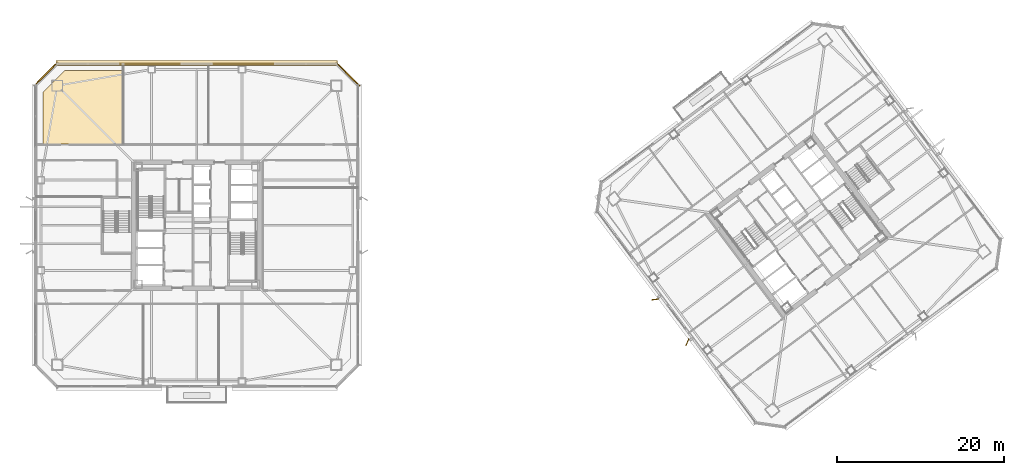
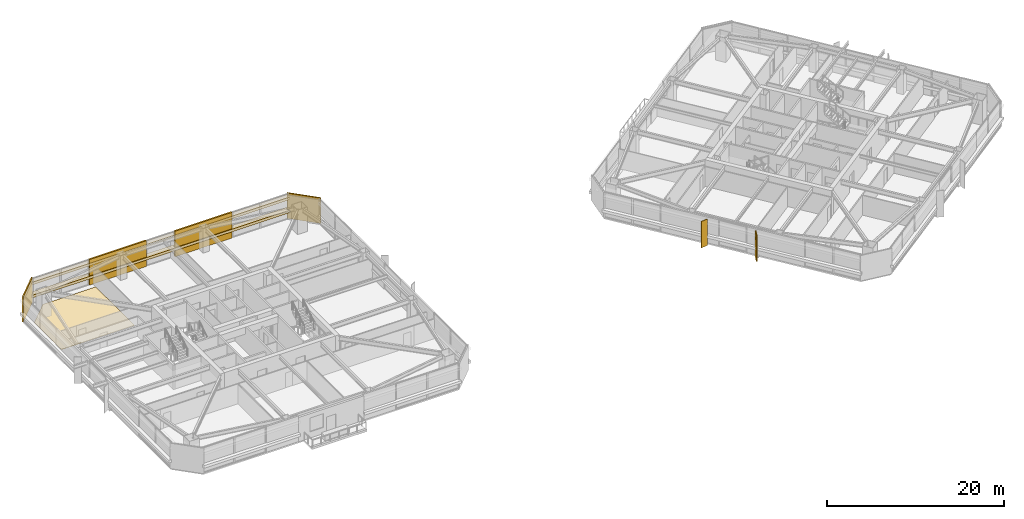
# One storey, part 45 of 48: 7 coverings, 2 shading devices.
"""IFC4 building model written with IfcOpenShell, lengths in metres."""

from ifc_helpers import new_model, si_unit, direction, frame, origin, origin_2d, place, context, subcontext, project, spatial, polyline, rectangle, outline, extrude, material, layer, layer_set, type_object, element, save


model = new_model("IFC4")

# Units and contexts
model_context = context("Model", 3, precision=1e-05, world=origin(), true_north=direction((0.0, 1.0)))
body_context = subcontext(model_context, "Body", "Model", "MODEL_VIEW")
ifc_project = project(units=[si_unit("LENGTHUNIT", "METRE"), si_unit("AREAUNIT", "SQUARE_METRE"), si_unit("VOLUMEUNIT", "CUBIC_METRE"), si_unit("PLANEANGLEUNIT", "RADIAN"), si_unit("MASSUNIT", "GRAM", prefix="KILO")], contexts=[model_context])

# Site, building, storey
site_placement = place(None, origin())
site = spatial("IfcSite", under=ifc_project, at=site_placement, CompositionType="ELEMENT")
building_placement = place(site_placement, origin())
building = spatial("IfcBuilding", under=site, at=building_placement, Name="Tashvorn Skyway Center", CompositionType="ELEMENT")
storey_placement = place(building_placement, frame((0.0, 0.0, 125.050048828125)))
storey = spatial("IfcBuildingStorey", under=building, at=storey_placement, Name="L33", CompositionType="ELEMENT", Elevation=125.050048828125)

# Coverings
ifc_material_1 = material(Name="Precast concrete C40/50", Category="concrete")
ifc_layer_1 = layer(ifc_material_1, 0.199951171875)
ifc_layer_set_1 = layer_set([ifc_layer_1], Name="Precast concrete C40/50")
covering_type_1 = type_object("IfcCoveringType", Name="COV-BRACE-CLAD", PredefinedType="CLADDING", material=ifc_layer_set_1)
for number, where, z_axis, x_axis, name in (
    (1, (36.40673828125, 51.280029296875, 0.0), (0.0, 0.0, 1.0), (1.0, 0.0, 0.0), "Tower 1 L33 North Unitised Curtain Wall Mega-Brace Cladding Band 1"),
    (2, (47.59326171875, 51.280029296875, 0.0), (0.0, 0.0, 1.0), (1.0, 0.0, 0.0), "Tower 1 L33 North Unitised Curtain Wall Mega-Brace Cladding Band 2"),
):
    element("IfcCovering", number, at=place(storey_placement, frame(where, z_axis=z_axis, x_axis=x_axis)), inside=storey, type_object=covering_type_1, Name=name, PredefinedType="CLADDING", context=body_context, shape_type="SweptSolid", body=[
        extrude(rectangle(XDim=7.457763671875, YDim=0.199951171875, at=origin_2d()), origin(), (0.0, 0.0, 1.0), 3.550048828125),
    ])
ifc_material_2 = material(Name="Polished Mojave desert-aggregate terrazzo and cover plate")
ifc_layer_2 = layer(ifc_material_2, 0.0400390625)
ifc_layer_set_2 = layer_set([ifc_layer_2], Name="Polished Mojave desert-aggregate terrazzo and cover plate")
covering_type_2 = type_object("IfcCoveringType", Name="COV-FLR-40", PredefinedType="FLOORING", material=ifc_layer_set_2)
covering_placement = place(storey_placement, origin())
element("IfcCovering", 3, at=covering_placement, inside=storey, type_object=covering_type_2, Name="Tower 1 L33 Executive Suite Finish Flooring", PredefinedType="FLOORING", context=body_context, shape_type="SweptSolid", body=[
    extrude(outline(polyline([(33.1201171875, 41.75), (23.580078125, 41.75), (23.580078125, 47.8798828125), (26.199951171875, 50.5), (33.1201171875, 50.5), (33.1201171875, 41.75)])), origin(), (0.0, 0.0, 1.0), 0.0400390625),
])
ifc_material_3 = material(Name="Perforated ceramic-coated bronze aluminium solar screen", Category="aluminium")
ifc_layer_3 = layer(ifc_material_3, 0.85009765625)
ifc_layer_set_3 = layer_set([ifc_layer_3], Name="Perforated ceramic-coated bronze aluminium solar screen")
covering_type_3 = type_object("IfcCoveringType", Name="COV-SOLAR-BAND", PredefinedType="CLADDING", material=ifc_layer_set_3)
for number, where, z_axis, x_axis, name in (
    (4, (42.0, 51.419921875, 0.919921875), (0.0, 0.0, 1.0), (1.0, 0.0, 0.0), "L33 Perforated Ceramic-Metal Solar Screen Louvre Band North 1"),
    (5, (42.0, 51.419921875, 2.7197265625), (0.0, 0.0, 1.0), (1.0, 0.0, 0.0), "L33 Perforated Ceramic-Metal Solar Screen Louvre Band North 2"),
):
    element("IfcCovering", number, at=place(storey_placement, frame(where, z_axis=z_axis, x_axis=x_axis)), inside=storey, type_object=covering_type_3, Name=name, PredefinedType="CLADDING", context=body_context, shape_type="SweptSolid", body=[
        extrude(rectangle(XDim=33.679931640625, YDim=0.639892578125, at=origin_2d()), origin(), (0.0, 0.0, 1.0), 0.360107421875),
    ])
ifc_layer_4 = layer(ifc_material_1, 0.35009765625)
ifc_layer_set_4 = layer_set([ifc_layer_4], Name="Precast concrete C40/50")
covering_type_4 = type_object("IfcCoveringType", Name="COV-STONE-TRIM", PredefinedType="CLADDING", material=ifc_layer_set_4)
for number, where, z_axis, x_axis, name in (
    (6, (23.929931640625, 50.070068359375, 0.02001953125), (0.0, 0.0, 1.0), (-0.707106781187, -0.707106781187, 0.0), "Tower 1 L33 NW Mojave Limestone Corner Quoin"),
    (7, (60.070068359375, 50.070068359375, 0.02001953125), (0.0, 0.0, 1.0), (0.707106781187, -0.707106781187, 0.0), "Tower 1 L33 NE Mojave Limestone Corner Quoin"),
):
    element("IfcCovering", number, at=place(storey_placement, frame(where, z_axis=z_axis, x_axis=x_axis)), inside=storey, type_object=covering_type_4, Name=name, PredefinedType="CLADDING", context=body_context, shape_type="SweptSolid", body=[
        extrude(rectangle(XDim=3.978515625, YDim=0.139892578125, at=origin_2d()), origin(), (0.0, 0.0, 1.0), 3.510009765625),
    ])

# Shading devices
ifc_layer_5 = layer(ifc_material_3, 0.06005859375)
ifc_layer_set_5 = layer_set([ifc_layer_5], Name="Perforated ceramic-coated bronze aluminium solar screen")
shading_device_type = type_object("IfcShadingDeviceType", Name="SHD-SOLAR-850", PredefinedType="USERDEFINED", material=ifc_layer_set_5)
for number, where, z_axis, x_axis, name in (
    (8, (100.679931640625, 18.010009765625, -0.10009765625), (0.0, 0.0, 1.0), (-0.919615244699, 0.392820317343, 0.0), "Tower 2 L33 Perforated Ceramic-Metal Solar Screen W1"),
    (9, (96.840087890625, 23.1298828125, -0.10009765625), (0.0, 0.0, 1.0), (-0.119615248407, 0.992820322288, 0.0), "Tower 2 L33 Perforated Ceramic-Metal Solar Screen W2"),
):
    element("IfcShadingDevice", number, at=place(storey_placement, frame(where, z_axis=z_axis, x_axis=x_axis)), inside=storey, type_object=shading_device_type, Name=name, ObjectType="SCREEN", PredefinedType="USERDEFINED", context=body_context, shape_type="SweptSolid", body=[
        extrude(rectangle(XDim=0.080078125, YDim=0.85009765625, at=origin_2d()), origin(), (0.0, 0.0, 1.0), 3.64990234375),
    ])

save(model, "model.ifc")
